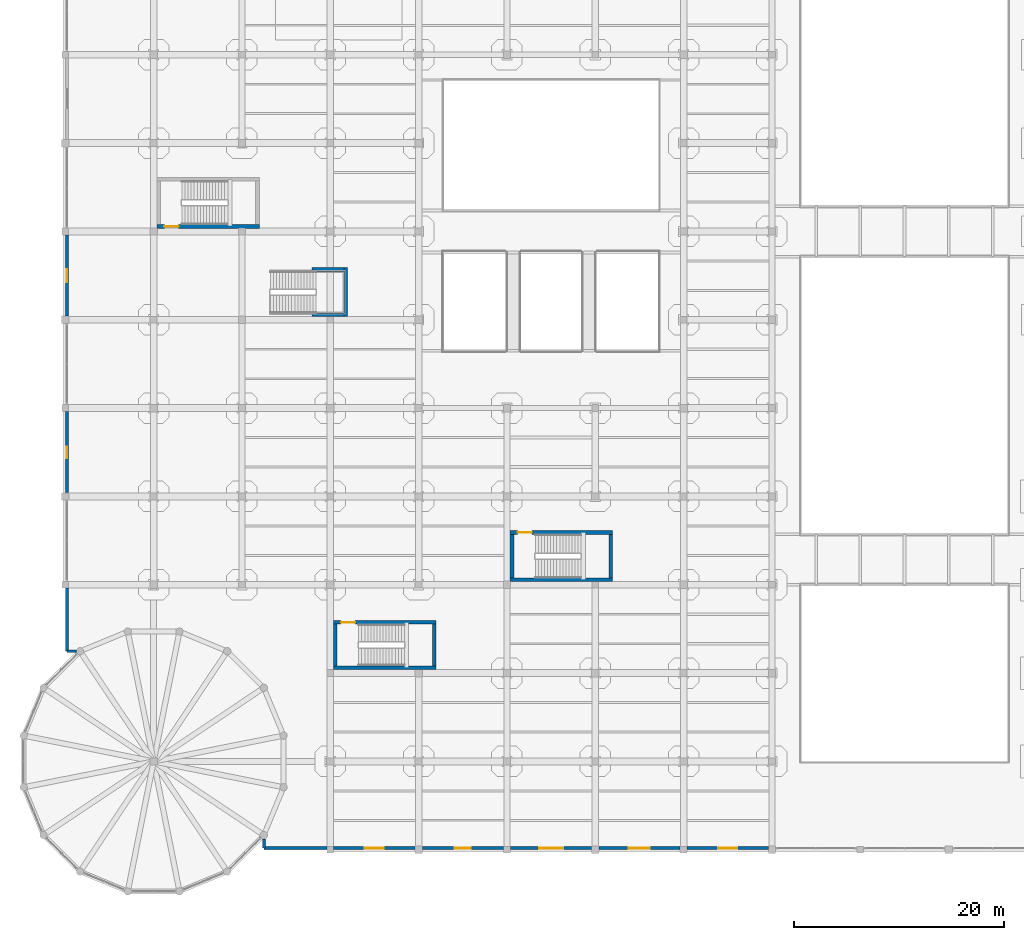
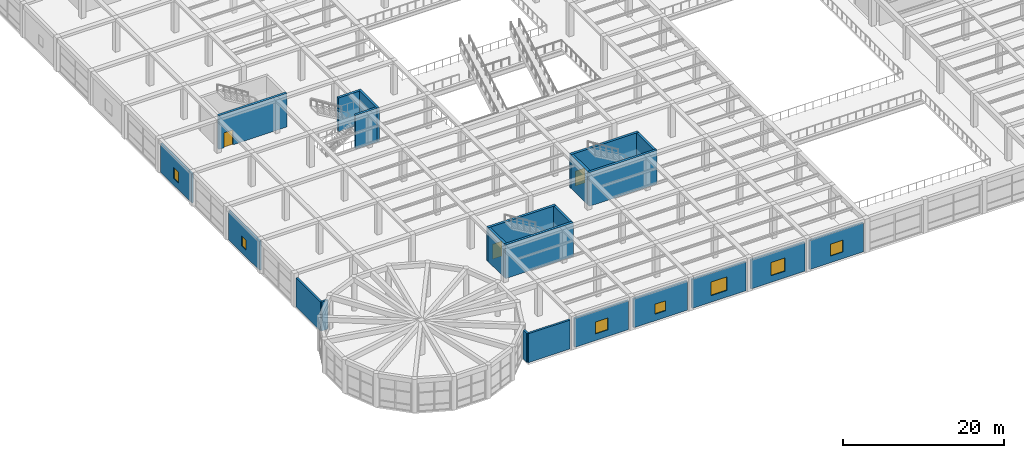
# One storey, part 77 of 96: 23 walls, 7 windows, 3 doors, 10 openings.
"""IFC4 building model written with IfcOpenShell, lengths in metres."""

from ifc_helpers import new_model, si_unit, direction, frame, frame_2d, origin, place, context, subcontext, project, spatial, rectangle, extrude, material, layer, layer_set, type_object, element, fill, save


model = new_model("IFC4")

# Units and contexts
model_context = context("Model", 3, precision=1e-05, world=origin(), true_north=direction((0.0, 1.0)))
body_context = subcontext(model_context, "Body", "Model", "MODEL_VIEW")
ifc_project = project(units=[si_unit("LENGTHUNIT", "METRE"), si_unit("AREAUNIT", "SQUARE_METRE"), si_unit("VOLUMEUNIT", "CUBIC_METRE"), si_unit("PLANEANGLEUNIT", "RADIAN"), si_unit("MASSUNIT", "GRAM", prefix="KILO")], contexts=[model_context])

# Site, building, storey
site_placement = place(None, origin())
site = spatial("IfcSite", under=ifc_project, at=site_placement, CompositionType="ELEMENT")
building_placement = place(site_placement, origin())
building = spatial("IfcBuilding", under=site, at=building_placement, Name="Almacenes y Pasaje Nevantli", CompositionType="ELEMENT")
storey_placement = place(building_placement, frame((0.0, 0.0, 6.0)))
storey = spatial("IfcBuildingStorey", under=building, at=storey_placement, Name="L02", CompositionType="ELEMENT", Elevation=6.0)

# Wall
ifc_material_1 = material(Name="Concrete C45/55", Category="concrete")
ifc_layer_1 = layer(ifc_material_1, 0.35009765625)
ifc_layer_set_1 = layer_set([ifc_layer_1], Name="Concrete C45/55")
wall_type_1 = type_object("IfcWallType", Name="WL-CORE-350", PredefinedType="SHEAR", material=ifc_layer_set_1)
wall_1_placement = place(storey_placement, frame((25.5, 17.324951171875, 0.0), z_axis=(0.0, 0.0, 1.0), x_axis=(1.0, 0.0, 0.0)))
element("IfcWall", 1, at=wall_1_placement, inside=storey, type_object=wall_type_1, Name="L02 Exit Stair ST-04 South Core Shear Wall", PredefinedType="SHEAR", context=body_context, shape_type="SweptSolid", body=[
    extrude(rectangle(XDim=9.75, YDim=0.35009765625, at=frame_2d((4.875, 0.0))), origin(), (0.0, 0.0, 1.0), 5.10009765625),
])

# Wall, opening, door
wall_2_placement = place(storey_placement, frame((25.5, 21.625, 0.0), z_axis=(0.0, 0.0, 1.0), x_axis=(1.0, 0.0, 0.0)))
wall_2 = element("IfcWall", 2, at=wall_2_placement, inside=storey, type_object=wall_type_1, Name="L02 Exit Stair ST-04 North Core Shear Wall", PredefinedType="SHEAR", context=body_context, shape_type="SweptSolid", body=[
    extrude(rectangle(XDim=9.75, YDim=0.35009765625, at=frame_2d((4.875, 0.0))), origin(), (0.0, 0.0, 1.0), 5.10009765625),
])
opening_1_placement = place(wall_2_placement, frame((0.719970703125, 0.0, 0.0)))
opening_1 = element("IfcOpeningElement", 3, at=opening_1_placement, cuts=wall_2, Name="Opening SD-04-L02", PredefinedType="OPENING", context=body_context, shape_type="SweptSolid", body=[
    extrude(rectangle(XDim=1.35009765625, YDim=2.25, at=frame_2d((0.675048828125, 1.125))), frame((0.0, 0.18505859375, 0.0), z_axis=(0.0, -1.0, 0.0), x_axis=(1.0, 0.0, 0.0)), (0.0, 0.0, 1.0), 0.3701171875),
])
ifc_material_2 = material(Name="Galvanized Fire-Rated Steel", Category="steel")
door_type = type_object("IfcDoorType", Name="DR-STAIR-1350R", OperationType="SINGLE_SWING_RIGHT", PredefinedType="DOOR", material=ifc_material_2)
door_1_placement = place(opening_1_placement, origin())
door_1 = element("IfcDoor", 4, at=door_1_placement, inside=storey, type_object=door_type, Name="L02 Smokeproof Exit Stair ST-04 Fire Door", OperationType="SINGLE_SWING_RIGHT", OverallHeight=2.25, OverallWidth=1.35009765625, PredefinedType="DOOR", context=body_context, shape_type="SweptSolid", body=[
    extrude(rectangle(XDim=1.35009765625, YDim=2.25, at=frame_2d((0.675048828125, 1.125))), frame((0.0, 0.02490234375, 0.0), z_axis=(0.0, -1.0, 0.0), x_axis=(1.0, 0.0, 0.0)), (0.0, 0.0, 1.0), 0.050048828125),
])
fill(opening_1, door_1)

# Walls
for number, where, z_axis, x_axis, name in (
    (5, (25.675048828125, 17.5, 0.0), (0.0, 0.0, 1.0), (0.0, 1.0, 0.0), "L02 Exit Stair ST-04 West Core Shear Wall"),
    (6, (35.074951171875, 17.5, 0.0), (0.0, 0.0, 1.0), (0.0, 1.0, 0.0), "L02 Exit Stair ST-04 East Core Shear Wall"),
):
    element("IfcWall", number, at=place(storey_placement, frame(where, z_axis=z_axis, x_axis=x_axis)), inside=storey, type_object=wall_type_1, Name=name, PredefinedType="SHEAR", context=body_context, shape_type="SweptSolid", body=[
        extrude(rectangle(XDim=3.949951171875, YDim=0.35009765625, at=frame_2d((1.97509765625, 0.0))), origin(), (0.0, 0.0, 1.0), 5.10009765625),
    ])

# Wall, opening, door
wall_3_placement = place(storey_placement, frame((8.699951171875, 59.27490234375, 0.0), z_axis=(0.0, 0.0, 1.0), x_axis=(1.0, 0.0, 0.0)))
wall_3 = element("IfcWall", 7, at=wall_3_placement, inside=storey, type_object=wall_type_1, Name="L02 Exit Stair ST-12 South Core Shear Wall", PredefinedType="SHEAR", context=body_context, shape_type="SweptSolid", body=[
    extrude(rectangle(XDim=9.75, YDim=0.35009765625, at=frame_2d((4.875, 0.0))), origin(), (0.0, 0.0, 1.0), 5.10009765625),
])
opening_2_placement = place(wall_3_placement, frame((0.719970703125, 0.0, 0.0)))
opening_2 = element("IfcOpeningElement", 8, at=opening_2_placement, cuts=wall_3, Name="Opening SD-12-L02", PredefinedType="OPENING", context=body_context, shape_type="SweptSolid", body=[
    extrude(rectangle(XDim=1.35009765625, YDim=2.25, at=frame_2d((0.675048828125, 1.125))), frame((0.0, 0.18505859375, 0.0), z_axis=(0.0, -1.0, 0.0), x_axis=(1.0, 0.0, 0.0)), (0.0, 0.0, 1.0), 0.3701171875),
])
door_2_placement = place(opening_2_placement, origin())
door_2 = element("IfcDoor", 9, at=door_2_placement, inside=storey, type_object=door_type, Name="L02 Smokeproof Exit Stair ST-12 Fire Door", OperationType="SINGLE_SWING_RIGHT", OverallHeight=2.25, OverallWidth=1.35009765625, PredefinedType="DOOR", context=body_context, shape_type="SweptSolid", body=[
    extrude(rectangle(XDim=1.35009765625, YDim=2.25, at=frame_2d((0.675048828125, 1.125))), frame((0.0, 0.02490234375, 0.0), z_axis=(0.0, -1.0, 0.0), x_axis=(1.0, 0.0, 0.0)), (0.0, 0.0, 1.0), 0.050048828125),
])
fill(opening_2, door_2)

# Wall
wall_4_placement = place(storey_placement, frame((42.300048828125, 25.675048828125, 0.0), z_axis=(0.0, 0.0, 1.0), x_axis=(1.0, 0.0, 0.0)))
element("IfcWall", 10, at=wall_4_placement, inside=storey, type_object=wall_type_1, Name="L02 Exit Stair ST-14 South Core Shear Wall", PredefinedType="SHEAR", context=body_context, shape_type="SweptSolid", body=[
    extrude(rectangle(XDim=9.75, YDim=0.35009765625, at=frame_2d((4.875, 0.0))), origin(), (0.0, 0.0, 1.0), 5.10009765625),
])

# Wall, opening, door
wall_5_placement = place(storey_placement, frame((42.300048828125, 30.175048828125, 0.0), z_axis=(0.0, 0.0, 1.0), x_axis=(1.0, 0.0, 0.0)))
wall_5 = element("IfcWall", 11, at=wall_5_placement, inside=storey, type_object=wall_type_1, Name="L02 Exit Stair ST-14 North Core Shear Wall", PredefinedType="SHEAR", context=body_context, shape_type="SweptSolid", body=[
    extrude(rectangle(XDim=9.75, YDim=0.35009765625, at=frame_2d((4.875, 0.0))), origin(), (0.0, 0.0, 1.0), 5.10009765625),
])
opening_3_placement = place(wall_5_placement, frame((0.719970703125, 0.0, 0.0)))
opening_3 = element("IfcOpeningElement", 12, at=opening_3_placement, cuts=wall_5, Name="Opening SD-14-L02", PredefinedType="OPENING", context=body_context, shape_type="SweptSolid", body=[
    extrude(rectangle(XDim=1.35009765625, YDim=2.25, at=frame_2d((0.675048828125, 1.125))), frame((0.0, 0.18505859375, 0.0), z_axis=(0.0, -1.0, 0.0), x_axis=(1.0, 0.0, 0.0)), (0.0, 0.0, 1.0), 0.3701171875),
])
door_3_placement = place(opening_3_placement, origin())
door_3 = element("IfcDoor", 13, at=door_3_placement, inside=storey, type_object=door_type, Name="L02 Smokeproof Exit Stair ST-14 Fire Door", OperationType="SINGLE_SWING_RIGHT", OverallHeight=2.25, OverallWidth=1.35009765625, PredefinedType="DOOR", context=body_context, shape_type="SweptSolid", body=[
    extrude(rectangle(XDim=1.35009765625, YDim=2.25, at=frame_2d((0.675048828125, 1.125))), frame((0.0, 0.02490234375, 0.0), z_axis=(0.0, -1.0, 0.0), x_axis=(1.0, 0.0, 0.0)), (0.0, 0.0, 1.0), 0.050048828125),
])
fill(opening_3, door_3)

# Walls
for number, where, z_axis, x_axis, name in (
    (14, (42.47509765625, 25.85009765625, 0.0), (0.0, 0.0, 1.0), (0.0, 1.0, 0.0), "L02 Exit Stair ST-14 West Core Shear Wall"),
    (15, (51.875, 25.85009765625, 0.0), (0.0, 0.0, 1.0), (0.0, 1.0, 0.0), "L02 Exit Stair ST-14 East Core Shear Wall"),
):
    element("IfcWall", number, at=place(storey_placement, frame(where, z_axis=z_axis, x_axis=x_axis)), inside=storey, type_object=wall_type_1, Name=name, PredefinedType="SHEAR", context=body_context, shape_type="SweptSolid", body=[
        extrude(rectangle(XDim=4.14990234375, YDim=0.35009765625, at=frame_2d((2.074951171875, 0.0))), origin(), (0.0, 0.0, 1.0), 5.10009765625),
    ])
wall_6_placement = place(storey_placement, frame((26.675048828125, 50.699951171875, 0.0), z_axis=(0.0, 0.0, 1.0), x_axis=(0.0, 1.0, 0.0)))
element("IfcWall", 16, at=wall_6_placement, inside=storey, type_object=wall_type_1, Name="L02 Monumental Stair ST-10 East Support Fin Wall", PredefinedType="SHEAR", context=body_context, shape_type="SweptSolid", body=[
    extrude(rectangle(XDim=4.650146484375, YDim=0.35009765625, at=frame_2d((2.3251953125, 0.0))), origin(), (0.0, 0.0, 1.0), 5.10009765625),
])
for number, where, z_axis, x_axis, name in (
    (17, (23.449951171875, 50.875, 0.0), (0.0, 0.0, 1.0), (1.0, 0.0, 0.0), "L02 Monumental Stair ST-10 South Support Fin Wall"),
    (18, (23.449951171875, 55.175048828125, 0.0), (0.0, 0.0, 1.0), (1.0, 0.0, 0.0), "L02 Monumental Stair ST-10 North Support Fin Wall"),
):
    element("IfcWall", number, at=place(storey_placement, frame(where, z_axis=z_axis, x_axis=x_axis)), inside=storey, type_object=wall_type_1, Name=name, PredefinedType="SHEAR", context=body_context, shape_type="SweptSolid", body=[
        extrude(rectangle(XDim=3.050048828125, YDim=0.35009765625, at=frame_2d((1.52490234375, 0.0))), origin(), (0.0, 0.0, 1.0), 5.10009765625),
    ])

# Wall, opening, window
ifc_material_3 = material(Name="Architectural Precast Concrete C35/45 Spandrel Wall", Category="concrete")
ifc_layer_2 = layer(ifc_material_3, 0.280029296875)
ifc_layer_set_2 = layer_set([ifc_layer_2], Name="Architectural Precast Concrete C35/45 Spandrel Wall")
wall_type_2 = type_object("IfcWallType", Name="WL-EXT-CANTERA-280", PredefinedType="SOLIDWALL", material=ifc_layer_set_2)
wall_7_placement = place(storey_placement, frame((25.528076171875, 0.14990234375, 0.0), z_axis=(0.0, 0.0, 1.0), x_axis=(1.0, 0.0, 0.0)))
wall_7 = element("IfcWall", 19, at=wall_7_placement, inside=storey, type_object=wall_type_2, Name="L02 South Retail Spandrel Wall Bay 4", PredefinedType="SOLIDWALL", context=body_context, shape_type="SweptSolid", body=[
    extrude(rectangle(XDim=7.719970703125, YDim=0.280029296875, at=frame_2d((3.85986328125, 0.0))), origin(), (0.0, 0.0, 1.0), 4.3798828125),
])
opening_4_placement = place(wall_7_placement, frame((2.971923828125, 0.0, 1.0)))
opening_4 = element("IfcOpeningElement", 20, at=opening_4_placement, cuts=wall_7, Name="Opening WT-07-061", PredefinedType="OPENING", context=body_context, shape_type="SweptSolid", body=[
    extrude(rectangle(XDim=1.800048828125, YDim=1.800048828125, at=frame_2d((0.89990234375, 0.89990234375))), frame((0.0, 0.14990234375, 0.0), z_axis=(0.0, -1.0, 0.0), x_axis=(1.0, 0.0, 0.0)), (0.0, 0.0, 1.0), 0.300048828125),
])
ifc_material_4 = material(Name="Thermally Broken Aluminium and Low-E Double Glazing", Category="aluminium")
window_type_1 = type_object("IfcWindowType", Name="WN-OCU-1800", PartitioningType="SINGLE_PANEL", PredefinedType="WINDOW", material=ifc_material_4)
window_1_placement = place(opening_4_placement, origin())
window_1 = element("IfcWindow", 21, at=window_1_placement, inside=storey, type_object=window_type_1, Name="L02 Exterior Window WT-07 #61", OverallHeight=1.800048828125, OverallWidth=1.800048828125, PartitioningType="SINGLE_PANEL", PredefinedType="WINDOW", context=body_context, shape_type="SweptSolid", body=[
    extrude(rectangle(XDim=1.800048828125, YDim=1.800048828125, at=frame_2d((0.89990234375, 0.89990234375))), frame((0.0, 0.030029296875, 0.0), z_axis=(0.0, -1.0, 0.0), x_axis=(1.0, 0.0, 0.0)), (0.0, 0.0, 1.0), 0.06005859375),
])
fill(opening_4, window_1)

wall_8_placement = place(storey_placement, frame((33.9541015625, 0.14990234375, 0.0), z_axis=(0.0, 0.0, 1.0), x_axis=(1.0, 0.0, 0.0)))
wall_8 = element("IfcWall", 22, at=wall_8_placement, inside=storey, type_object=wall_type_2, Name="L02 South Retail Spandrel Wall Bay 5", PredefinedType="SOLIDWALL", context=body_context, shape_type="SweptSolid", body=[
    extrude(rectangle(XDim=7.718017578125, YDim=0.280029296875, at=frame_2d((3.85888671875, 0.0))), origin(), (0.0, 0.0, 1.0), 4.3798828125),
])
opening_5_placement = place(wall_8_placement, frame((3.095947265625, 0.0, 1.0)))
opening_5 = element("IfcOpeningElement", 23, at=opening_5_placement, cuts=wall_8, Name="Opening WT-08-062", PredefinedType="OPENING", context=body_context, shape_type="SweptSolid", body=[
    extrude(rectangle(XDim=1.5, YDim=1.5, at=frame_2d((0.75, 0.75))), frame((0.0, 0.14990234375, 0.0), z_axis=(0.0, -1.0, 0.0), x_axis=(1.0, 0.0, 0.0)), (0.0, 0.0, 1.0), 0.300048828125),
])
ifc_material_5 = material(Name="Thermally Broken Aluminium and Low-E Double Glazing", Category="aluminium")
window_type_2 = type_object("IfcWindowType", Name="WN-OCU-1500", PartitioningType="SINGLE_PANEL", PredefinedType="WINDOW", material=ifc_material_5)
window_2_placement = place(opening_5_placement, origin())
window_2 = element("IfcWindow", 24, at=window_2_placement, inside=storey, type_object=window_type_2, Name="L02 Exterior Window WT-08 #62", OverallHeight=1.5, OverallWidth=1.5, PartitioningType="SINGLE_PANEL", PredefinedType="WINDOW", context=body_context, shape_type="SweptSolid", body=[
    extrude(rectangle(XDim=1.5, YDim=1.5, at=frame_2d((0.75, 0.75))), frame((0.0, 0.030029296875, 0.0), z_axis=(0.0, -1.0, 0.0), x_axis=(1.0, 0.0, 0.0)), (0.0, 0.0, 1.0), 0.06005859375),
])
fill(opening_5, window_2)

wall_9_placement = place(storey_placement, frame((42.327880859375, 0.14990234375, 0.0), z_axis=(0.0, 0.0, 1.0), x_axis=(1.0, 0.0, 0.0)))
wall_9 = element("IfcWall", 25, at=wall_9_placement, inside=storey, type_object=wall_type_2, Name="L02 South Retail Spandrel Wall Bay 6", PredefinedType="SOLIDWALL", context=body_context, shape_type="SweptSolid", body=[
    extrude(rectangle(XDim=7.718017578125, YDim=0.280029296875, at=frame_2d((3.85888671875, 0.0))), origin(), (0.0, 0.0, 1.0), 4.3798828125),
])
opening_6_placement = place(wall_9_placement, frame((2.721923828125, 0.0, 1.0)))
opening_6 = element("IfcOpeningElement", 26, at=opening_6_placement, cuts=wall_9, Name="Opening WT-14-063", PredefinedType="OPENING", context=body_context, shape_type="SweptSolid", body=[
    extrude(rectangle(XDim=2.300048828125, YDim=2.050048828125, at=frame_2d((1.14990234375, 1.02490234375))), frame((0.0, 0.14990234375, 0.0), z_axis=(0.0, -1.0, 0.0), x_axis=(1.0, 0.0, 0.0)), (0.0, 0.0, 1.0), 0.300048828125),
])
ifc_material_6 = material(Name="Thermally Broken Aluminium and Low-E Double Glazing", Category="aluminium")
window_type_3 = type_object("IfcWindowType", Name="WN-POD-2300x2050", PartitioningType="SINGLE_PANEL", PredefinedType="WINDOW", material=ifc_material_6)
window_3_placement = place(opening_6_placement, origin())
window_3 = element("IfcWindow", 27, at=window_3_placement, inside=storey, type_object=window_type_3, Name="L02 Exterior Window WT-14 #63", OverallHeight=2.050048828125, OverallWidth=2.300048828125, PartitioningType="SINGLE_PANEL", PredefinedType="WINDOW", context=body_context, shape_type="SweptSolid", body=[
    extrude(rectangle(XDim=2.300048828125, YDim=2.050048828125, at=frame_2d((1.14990234375, 1.02490234375))), frame((0.0, 0.030029296875, 0.0), z_axis=(0.0, -1.0, 0.0), x_axis=(1.0, 0.0, 0.0)), (0.0, 0.0, 1.0), 0.06005859375),
])
fill(opening_6, window_3)

wall_10_placement = place(storey_placement, frame((50.751953125, 0.14990234375, 0.0), z_axis=(0.0, 0.0, 1.0), x_axis=(1.0, 0.0, 0.0)))
wall_10 = element("IfcWall", 28, at=wall_10_placement, inside=storey, type_object=wall_type_2, Name="L02 South Retail Spandrel Wall Bay 7", PredefinedType="SOLIDWALL", context=body_context, shape_type="SweptSolid", body=[
    extrude(rectangle(XDim=7.719970703125, YDim=0.280029296875, at=frame_2d((3.85986328125, 0.0))), origin(), (0.0, 0.0, 1.0), 4.3798828125),
])
opening_7_placement = place(wall_10_placement, frame((2.847900390625, 0.0, 1.0)))
opening_7 = element("IfcOpeningElement", 29, at=opening_7_placement, cuts=wall_10, Name="Opening WT-15-064", PredefinedType="OPENING", context=body_context, shape_type="SweptSolid", body=[
    extrude(rectangle(XDim=2.0, YDim=2.0, at=frame_2d((1.0, 1.0))), frame((0.0, 0.14990234375, 0.0), z_axis=(0.0, -1.0, 0.0), x_axis=(1.0, 0.0, 0.0)), (0.0, 0.0, 1.0), 0.300048828125),
])
ifc_material_7 = material(Name="Thermally Broken Aluminium and Low-E Double Glazing", Category="aluminium")
window_type_4 = type_object("IfcWindowType", Name="WN-POD-2000x2000", PartitioningType="SINGLE_PANEL", PredefinedType="WINDOW", material=ifc_material_7)
window_4_placement = place(opening_7_placement, origin())
window_4 = element("IfcWindow", 30, at=window_4_placement, inside=storey, type_object=window_type_4, Name="L02 Exterior Window WT-15 #64", OverallHeight=2.0, OverallWidth=2.0, PartitioningType="SINGLE_PANEL", PredefinedType="WINDOW", context=body_context, shape_type="SweptSolid", body=[
    extrude(rectangle(XDim=2.0, YDim=2.0, at=frame_2d((1.0, 1.0))), frame((0.0, 0.030029296875, 0.0), z_axis=(0.0, -1.0, 0.0), x_axis=(1.0, 0.0, 0.0)), (0.0, 0.0, 1.0), 0.06005859375),
])
fill(opening_7, window_4)

wall_11_placement = place(storey_placement, frame((59.1279296875, 0.14990234375, 0.0), z_axis=(0.0, 0.0, 1.0), x_axis=(1.0, 0.0, 0.0)))
wall_11 = element("IfcWall", 31, at=wall_11_placement, inside=storey, type_object=wall_type_2, Name="L02 South Retail Spandrel Wall Bay 8", PredefinedType="SOLIDWALL", context=body_context, shape_type="SweptSolid", body=[
    extrude(rectangle(XDim=7.719970703125, YDim=0.280029296875, at=frame_2d((3.85986328125, 0.0))), origin(), (0.0, 0.0, 1.0), 4.3798828125),
])
opening_8_placement = place(wall_11_placement, frame((2.971923828125, 0.0, 1.0)))
opening_8 = element("IfcOpeningElement", 32, at=opening_8_placement, cuts=wall_11, Name="Opening WT-07-065", PredefinedType="OPENING", context=body_context, shape_type="SweptSolid", body=[
    extrude(rectangle(XDim=1.800048828125, YDim=1.800048828125, at=frame_2d((0.89990234375, 0.89990234375))), frame((0.0, 0.14990234375, 0.0), z_axis=(0.0, -1.0, 0.0), x_axis=(1.0, 0.0, 0.0)), (0.0, 0.0, 1.0), 0.300048828125),
])
window_5_placement = place(opening_8_placement, origin())
window_5 = element("IfcWindow", 33, at=window_5_placement, inside=storey, type_object=window_type_1, Name="L02 Exterior Window WT-07 #65", OverallHeight=1.800048828125, OverallWidth=1.800048828125, PartitioningType="SINGLE_PANEL", PredefinedType="WINDOW", context=body_context, shape_type="SweptSolid", body=[
    extrude(rectangle(XDim=1.800048828125, YDim=1.800048828125, at=frame_2d((0.89990234375, 0.89990234375))), frame((0.0, 0.030029296875, 0.0), z_axis=(0.0, -1.0, 0.0), x_axis=(1.0, 0.0, 0.0)), (0.0, 0.0, 1.0), 0.06005859375),
])
fill(opening_8, window_5)

wall_12_placement = place(storey_placement, frame((0.14990234375, 33.9541015625, 0.0), z_axis=(0.0, 0.0, 1.0), x_axis=(0.0, 1.0, 0.0)))
wall_12 = element("IfcWall", 34, at=wall_12_placement, inside=storey, type_object=wall_type_2, Name="L02 West Avenue Cantera Wall Bay 5", PredefinedType="SOLIDWALL", context=body_context, shape_type="SweptSolid", body=[
    extrude(rectangle(XDim=7.718017578125, YDim=0.280029296875, at=frame_2d((3.85888671875, 0.0))), origin(), (0.0, 0.0, 1.0), 4.3798828125),
])
opening_9_placement = place(wall_12_placement, frame((3.2958984375, 0.0, 1.050048828125)))
opening_9 = element("IfcOpeningElement", 35, at=opening_9_placement, cuts=wall_12, Name="Opening WT-19-075", PredefinedType="OPENING", context=body_context, shape_type="SweptSolid", body=[
    extrude(rectangle(XDim=1.10009765625, YDim=1.5, at=frame_2d((0.550048828125, 0.75))), frame((0.0, 0.14990234375, 0.0), z_axis=(0.0, -1.0, 0.0), x_axis=(1.0, 0.0, 0.0)), (0.0, 0.0, 1.0), 0.300048828125),
])
ifc_material_8 = material(Name="Thermally Broken Aluminium and Low-E Double Glazing", Category="aluminium")
window_type_5 = type_object("IfcWindowType", Name="WN-POD-1100x1500", PartitioningType="SINGLE_PANEL", PredefinedType="WINDOW", material=ifc_material_8)
window_6_placement = place(opening_9_placement, origin())
window_6 = element("IfcWindow", 36, at=window_6_placement, inside=storey, type_object=window_type_5, Name="L02 Exterior Window WT-19 #75", OverallHeight=1.5, OverallWidth=1.10009765625, PartitioningType="SINGLE_PANEL", PredefinedType="WINDOW", context=body_context, shape_type="SweptSolid", body=[
    extrude(rectangle(XDim=1.10009765625, YDim=1.5, at=frame_2d((0.550048828125, 0.75))), frame((0.0, 0.030029296875, 0.0), z_axis=(0.0, -1.0, 0.0), x_axis=(1.0, 0.0, 0.0)), (0.0, 0.0, 1.0), 0.06005859375),
])
fill(opening_9, window_6)

wall_13_placement = place(storey_placement, frame((0.14990234375, 50.751953125, 0.0), z_axis=(0.0, 0.0, 1.0), x_axis=(0.0, 1.0, 0.0)))
wall_13 = element("IfcWall", 37, at=wall_13_placement, inside=storey, type_object=wall_type_2, Name="L02 West Avenue Cantera Wall Bay 7", PredefinedType="SOLIDWALL", context=body_context, shape_type="SweptSolid", body=[
    extrude(rectangle(XDim=7.719970703125, YDim=0.280029296875, at=frame_2d((3.85986328125, 0.0))), origin(), (0.0, 0.0, 1.0), 4.3798828125),
])
opening_10_placement = place(wall_13_placement, frame((3.222900390625, 0.0, 1.050048828125)))
opening_10 = element("IfcOpeningElement", 38, at=opening_10_placement, cuts=wall_13, Name="Opening WT-18-076", PredefinedType="OPENING", context=body_context, shape_type="SweptSolid", body=[
    extrude(rectangle(XDim=1.25, YDim=1.64990234375, at=frame_2d((0.625, 0.824951171875))), frame((0.0, 0.14990234375, 0.0), z_axis=(0.0, -1.0, 0.0), x_axis=(1.0, 0.0, 0.0)), (0.0, 0.0, 1.0), 0.300048828125),
])
ifc_material_9 = material(Name="Thermally Broken Aluminium and Low-E Double Glazing", Category="aluminium")
window_type_6 = type_object("IfcWindowType", Name="WN-POD-1250x1650", PartitioningType="SINGLE_PANEL", PredefinedType="WINDOW", material=ifc_material_9)
window_7_placement = place(opening_10_placement, origin())
window_7 = element("IfcWindow", 39, at=window_7_placement, inside=storey, type_object=window_type_6, Name="L02 Exterior Window WT-18 #76", OverallHeight=1.64990234375, OverallWidth=1.25, PartitioningType="SINGLE_PANEL", PredefinedType="WINDOW", context=body_context, shape_type="SweptSolid", body=[
    extrude(rectangle(XDim=1.25, YDim=1.64990234375, at=frame_2d((0.625, 0.824951171875))), frame((0.0, 0.030029296875, 0.0), z_axis=(0.0, -1.0, 0.0), x_axis=(1.0, 0.0, 0.0)), (0.0, 0.0, 1.0), 0.06005859375),
])
fill(opening_10, window_7)

# Walls
wall_14_placement = place(storey_placement, frame((0.14990234375, 18.8798828125, 0.0), z_axis=(0.0, 0.0, 1.0), x_axis=(0.0, 1.0, 0.0)))
element("IfcWall", 40, at=wall_14_placement, inside=storey, type_object=wall_type_2, Name="L02 Rotunda-to-West Facade Closure Wall", PredefinedType="SOLIDWALL", context=body_context, shape_type="SweptSolid", body=[
    extrude(rectangle(XDim=5.9921875, YDim=0.280029296875, at=frame_2d((2.99609375, 0.0))), origin(), (0.0, 0.0, 1.0), 4.3798828125),
])
wall_15_placement = place(storey_placement, frame((0.14990234375, 18.8798828125, 0.0), z_axis=(0.0, 0.0, 1.0), x_axis=(1.0, 0.0, 0.0)))
element("IfcWall", 41, at=wall_15_placement, inside=storey, type_object=wall_type_2, Name="L02 Rotunda-to-West Corner Return Wall", PredefinedType="SOLIDWALL", context=body_context, shape_type="SweptSolid", body=[
    extrude(rectangle(XDim=0.89599609375, YDim=0.280029296875, at=frame_2d((0.447998046875, 0.0))), origin(), (0.0, 0.0, 1.0), 4.3798828125),
])
wall_16_placement = place(storey_placement, frame((18.8798828125, 0.14990234375, 0.0), z_axis=(0.0, 0.0, 1.0), x_axis=(1.0, 0.0, 0.0)))
element("IfcWall", 42, at=wall_16_placement, inside=storey, type_object=wall_type_2, Name="L02 Rotunda-to-South Facade Closure Wall", PredefinedType="SOLIDWALL", context=body_context, shape_type="SweptSolid", body=[
    extrude(rectangle(XDim=5.9921875, YDim=0.280029296875, at=frame_2d((2.99609375, 0.0))), origin(), (0.0, 0.0, 1.0), 4.3798828125),
])
wall_17_placement = place(storey_placement, frame((18.8798828125, 0.14990234375, 0.0), z_axis=(0.0, 0.0, 1.0), x_axis=(0.0, 1.0, 0.0)))
element("IfcWall", 43, at=wall_17_placement, inside=storey, type_object=wall_type_2, Name="L02 Rotunda-to-South Corner Return Wall", PredefinedType="SOLIDWALL", context=body_context, shape_type="SweptSolid", body=[
    extrude(rectangle(XDim=0.89599609375, YDim=0.280029296875, at=frame_2d((0.447998046875, 0.0))), origin(), (0.0, 0.0, 1.0), 4.3798828125),
])

save(model, "model.ifc")
